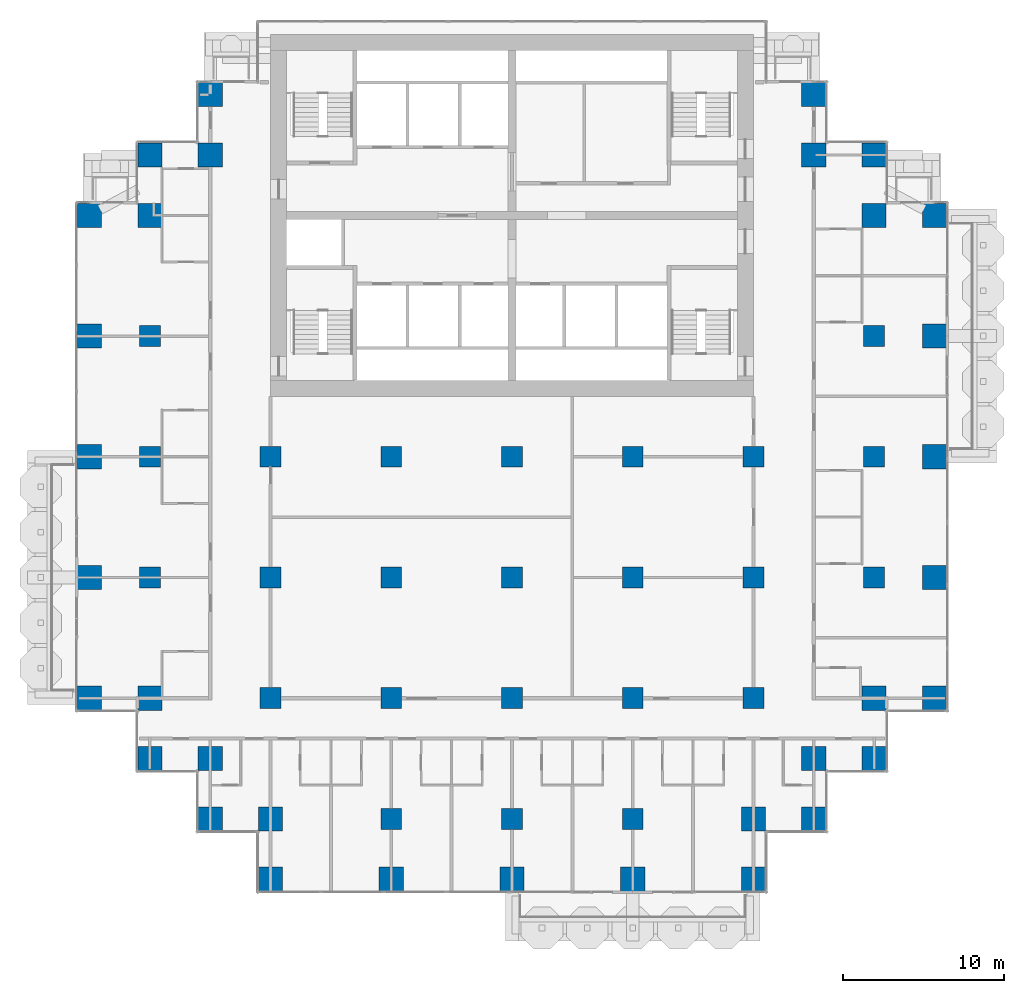
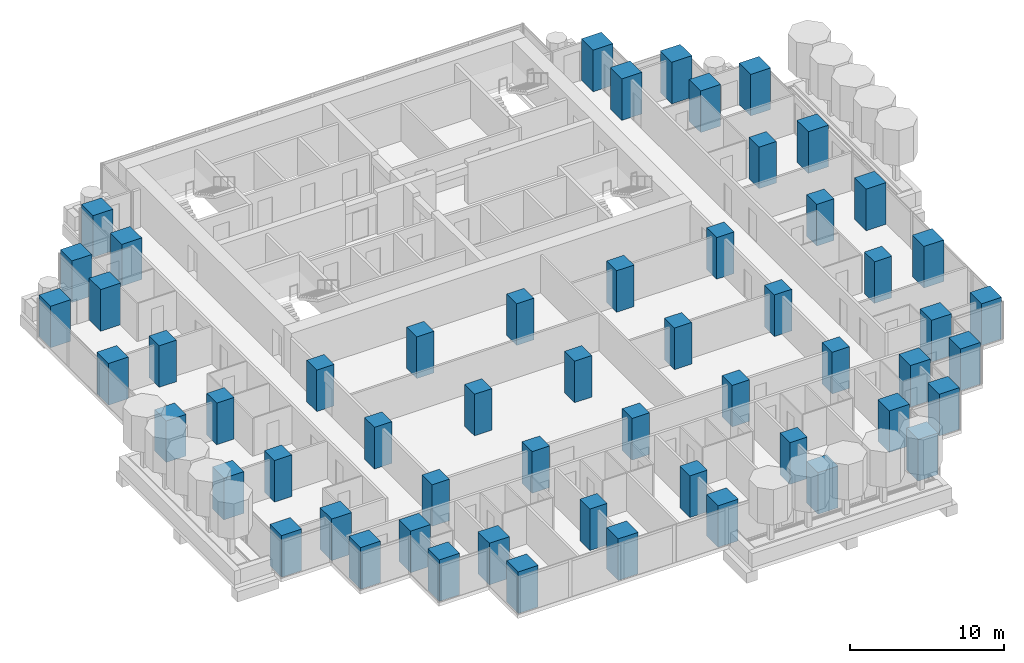
# One storey, part 1 of 19: 57 columns.
"""IFC4 building model written with IfcOpenShell, lengths in metres."""

import ifcopenshell
import ifcopenshell.guid

model = None  # the IFC model being written
_history = None  # IfcOwnerHistory: only IFC2X3 demands one
_inside = {}  # id of a spatial element -> (the spatial element, [elements in it])
_under = {}  # id of a project, library or spatial element -> (it, [spatial elements below it])
_declared = {}  # id of a project -> (the project, [libraries it declares])
_typed = {}  # id of a type object -> (the type object, [elements of that type])
_made_of = {}  # id of a material, layer set ... -> (it, [elements and type objects made of it])


def new_model(schema):
    """Start an empty IFC model of exactly this schema.

    Asked for "IFC4X3", IfcOpenShell would pick the latest addendum, in which some entities
    have other attributes; the version numbers below select the first issue.
    IFC2X3 requires an IfcOwnerHistory on every rooted entity: one is made here for all.
    """
    global model, _history
    if schema == "IFC4X3":
        model = ifcopenshell.file(schema_version=(4, 3, 0, 0))
    else:
        model = ifcopenshell.file(schema=schema)
    _inside.clear()
    _under.clear()
    _declared.clear()
    _typed.clear()
    _made_of.clear()
    _history = None
    if model.schema == "IFC2X3":
        org = make("IfcOrganization", Name="unknown")
        user = make(
            "IfcPersonAndOrganization",
            ThePerson=make("IfcPerson", FamilyName="unknown"),
            TheOrganization=org,
        )
        app = make(
            "IfcApplication",
            ApplicationDeveloper=org,
            Version="unknown",
            ApplicationFullName="unknown",
            ApplicationIdentifier="unknown",
        )
        _history = make(
            "IfcOwnerHistory",
            OwningUser=user,
            OwningApplication=app,
            ChangeAction="ADDED",
            CreationDate=0,
        )
    return model


def make(cls, **values):
    """One entity of the class cls with the attributes given. An attribute that is None is left unset."""
    return model.create_entity(
        cls, **{name: value for name, value in values.items() if value is not None}
    )


def rooted(cls, **values):
    """An entity with a GlobalId (a new one), such as an element, a storey or a relation."""
    return make(cls, GlobalId=ifcopenshell.guid.new(), OwnerHistory=_history, **values)


def si_unit(unit_type, name, prefix=None):
    """IfcSIUnit, for example si_unit("LENGTHUNIT", "METRE", prefix="MILLI")."""
    return make("IfcSIUnit", UnitType=unit_type, Prefix=prefix, Name=name)


def assignment(units):
    """IfcUnitAssignment: the units of a project."""
    return None if units is None else make("IfcUnitAssignment", Units=units)


def point(xyz):
    """IfcCartesianPoint."""
    return None if xyz is None else make("IfcCartesianPoint", Coordinates=xyz)


def direction(xyz):
    """IfcDirection."""
    return None if xyz is None else make("IfcDirection", DirectionRatios=xyz)


def frame(location, z_axis=None, x_axis=None):
    """IfcAxis2Placement3D, a coordinate frame: its origin and axes. An axis left out is left unset."""
    return make(
        "IfcAxis2Placement3D",
        Location=point(location),
        Axis=direction(z_axis),
        RefDirection=direction(x_axis),
    )


def frame_2d(location, x_axis=None):
    """IfcAxis2Placement2D, a coordinate frame in the plane: its origin and x axis."""
    return make(
        "IfcAxis2Placement2D", Location=point(location), RefDirection=direction(x_axis)
    )


def origin():
    """The frame at (0, 0, 0) with its axes left unset."""
    return frame((0.0, 0.0, 0.0))


def origin_2d():
    """The frame at (0, 0) in the plane with its x axis left unset."""
    return frame_2d((0.0, 0.0))


def place(relative_to, where):
    """IfcLocalPlacement: puts the frame where relative to a parent placement (None: the world)."""
    return make(
        "IfcLocalPlacement", PlacementRelTo=relative_to, RelativePlacement=where
    )


def context(
    kind, dimensions, precision=None, world=None, true_north=None, identifier=None
):
    """IfcGeometricRepresentationContext, for example the 3D "Model" context."""
    return make(
        "IfcGeometricRepresentationContext",
        ContextIdentifier=identifier,
        ContextType=kind,
        CoordinateSpaceDimension=dimensions,
        Precision=precision,
        WorldCoordinateSystem=world,
        TrueNorth=true_north,
    )


def subcontext(parent, identifier, kind, view, scale=None):
    """IfcGeometricRepresentationSubContext, for example "Body" below "Model"."""
    return make(
        "IfcGeometricRepresentationSubContext",
        ContextIdentifier=identifier,
        ContextType=kind,
        ParentContext=parent,
        TargetScale=scale,
        TargetView=view,
    )


def project(units=None, contexts=None):
    """IfcProject with its units and contexts."""
    return rooted(
        "IfcProject",
        Name="project",
        RepresentationContexts=contexts,
        UnitsInContext=assignment(units),
    )


def spatial(cls, under=None, at=None, **own):
    """A site, building, storey or space (cls), placed at a placement, below another one or the project."""
    s = rooted(cls, ObjectPlacement=at, **own)
    if under is not None:
        _under.setdefault(under.id(), (under, []))[1].append(s)
    return s


def profile(cls, at=None, kind="AREA", **sizes):
    """A parametric profile (cls). Its sizes go by their IFC names, for example OverallWidth=200.0."""
    return make(cls, ProfileType=kind, Position=at, **sizes)


def rectangle(**sizes):
    """IfcRectangleProfileDef."""
    return profile("IfcRectangleProfileDef", **sizes)


def extrude(swept, where, along, depth):
    """IfcExtrudedAreaSolid: the profile swept, set in the frame where, extruded along a direction by depth."""
    return make(
        "IfcExtrudedAreaSolid",
        SweptArea=swept,
        Position=where,
        ExtrudedDirection=direction(along),
        Depth=depth,
    )


def shape(context_of_items, identifier, shape_type, items):
    """IfcShapeRepresentation: the items that make up one representation, for example the "Body"."""
    return make(
        "IfcShapeRepresentation",
        ContextOfItems=context_of_items,
        RepresentationIdentifier=identifier,
        RepresentationType=shape_type,
        Items=items,
    )


def material(Name=None, Category=None):
    """IfcMaterial."""
    return make("IfcMaterial", Name=Name, Category=Category)


def material_profile(
    of_material, cross_section, Name=None, Category=None, Priority=None
):
    """IfcMaterialProfile: a cross section and its material."""
    return make(
        "IfcMaterialProfile",
        Name=Name,
        Material=of_material,
        Profile=cross_section,
        Priority=Priority,
        Category=Category,
    )


def profile_set(profiles, Name=None, composite=None):
    """IfcMaterialProfileSet."""
    return make(
        "IfcMaterialProfileSet",
        Name=Name,
        MaterialProfiles=profiles,
        CompositeProfile=composite,
    )


def made_of(thing, what):
    """Note that an element or type object is made of a material, layer set ...; save() writes the relation."""
    if what is not None:
        _made_of.setdefault(what.id(), (what, []))[1].append(thing)
    return thing


def type_object(cls, material=None, **own):
    """A type object (cls), such as IfcWallType, which elements share."""
    return made_of(rooted(cls, **own), material)


def element(
    cls,
    number,
    at=None,
    inside=None,
    cuts=None,
    type_object=None,
    material=None,
    context=None,
    identifier="Body",
    shape_type=None,
    held_by="IfcProductDefinitionShape",
    body=None,
    shapes=None,
    **own,
):
    """One element of the class cls, such as IfcWall. Its Tag is "e" and its number.

    at: its placement. inside: the storey or other place that contains it. cuts: it is an
    opening in that element (IfcRelVoidsElement). A single representation is given by context,
    identifier, shape_type and body (its items); several are given by shapes. held_by: the class
    of the entity that holds the representations. save() writes the other relations.
    """
    e = rooted(cls, Tag="e%d" % number, ObjectPlacement=at, **own)
    if body is not None:
        shapes = [shape(context, identifier, shape_type, body)]
    if shapes is not None:
        e.Representation = make(held_by, Representations=shapes)
    if inside is not None:
        _inside.setdefault(inside.id(), (inside, []))[1].append(e)
    if cuts is not None:
        rooted(
            "IfcRelVoidsElement", RelatingBuildingElement=cuts, RelatedOpeningElement=e
        )
    if type_object is not None:
        _typed.setdefault(type_object.id(), (type_object, []))[1].append(e)
    return made_of(e, material)


def aggregate(whole, parts):
    """IfcRelAggregates: a whole, such as a stair, and the parts it consists of."""
    return rooted("IfcRelAggregates", RelatingObject=whole, RelatedObjects=parts)


def save(model, path):
    """Write the relations noted so far, then the file.

    IfcRelAggregates (storeys below a building ...), IfcRelContainedInSpatialStructure (elements
    in a storey), IfcRelDefinesByType, IfcRelAssociatesMaterial and IfcRelDeclares: one each for
    every whole, place, type object, material and project.
    """
    for whole, parts in _under.values():
        aggregate(whole, parts)
    for where, things in _inside.values():
        rooted(
            "IfcRelContainedInSpatialStructure",
            RelatedElements=things,
            RelatingStructure=where,
        )
    for kind, things in _typed.values():
        rooted("IfcRelDefinesByType", RelatedObjects=things, RelatingType=kind)
    for what, things in _made_of.values():
        rooted("IfcRelAssociatesMaterial", RelatedObjects=things, RelatingMaterial=what)
    for by, libraries in _declared.values():
        rooted("IfcRelDeclares", RelatingContext=by, RelatedDefinitions=libraries)
    model.write(path)


model = new_model("IFC4")

# Units and contexts
model_context = context("Model", 3, precision=1e-05, world=origin(), true_north=direction((0.0, 1.0)))
body_context = subcontext(model_context, "Body", "Model", "MODEL_VIEW")
ifc_project = project(units=[si_unit("LENGTHUNIT", "METRE"), si_unit("AREAUNIT", "SQUARE_METRE"), si_unit("VOLUMEUNIT", "CUBIC_METRE"), si_unit("PLANEANGLEUNIT", "RADIAN"), si_unit("MASSUNIT", "GRAM", prefix="KILO")], contexts=[model_context])

# Site, building, storey
site_placement = place(None, origin())
site = spatial("IfcSite", under=ifc_project, at=site_placement, CompositionType="ELEMENT")
building_placement = place(site_placement, origin())
building = spatial("IfcBuilding", under=site, at=building_placement, Name="Pilkhan Gate Tower", CompositionType="ELEMENT")
storey_placement = place(building_placement, frame((0.0, 0.0, 72.5)))
storey = spatial("IfcBuildingStorey", under=building, at=storey_placement, Name="L16", CompositionType="ELEMENT", Elevation=72.5)

# Columns
ifc_material = material(Name="Concrete C70/85", Category="concrete")
ifc_material_profile_1 = material_profile(ifc_material, rectangle(XDim=1.300048828125, YDim=1.300048828125, at=origin_2d()), Name="RC 1300x1300")
ifc_profile_set_1 = profile_set([ifc_material_profile_1], Name="Concrete C70/85")
column_type_1 = type_object("IfcColumnType", Name="Column C130 RC 1300x1300 C70/85", PredefinedType="COLUMN", material=ifc_profile_set_1)
for number, where, z_axis, x_axis, name in (
    (1, (52.5, 60.0, 0.0), (0.0, 0.0, 1.0), (1.0, 0.0, 0.0), "Column 5/F L16"),
    (2, (52.5, 67.5, 0.0), (0.0, 0.0, 1.0), (1.0, 0.0, 0.0), "Column 5/H L16"),
    (3, (52.5, 75.0, 0.0), (0.0, 0.0, 1.0), (1.0, 0.0, 0.0), "Column 5/K L16"),
    (4, (60.0, 52.5, 0.0), (0.0, 0.0, 1.0), (1.0, 0.0, 0.0), "Column 7/D L16"),
    (5, (60.0, 60.0, 0.0), (0.0, 0.0, 1.0), (1.0, 0.0, 0.0), "Column 7/F L16"),
    (6, (60.0, 67.5, 0.0), (0.0, 0.0, 1.0), (1.0, 0.0, 0.0), "Column 7/H L16"),
    (7, (67.5, 45.0, 0.0), (0.0, 0.0, 1.0), (1.0, 0.0, 0.0), "Column 9/B L16"),
    (8, (67.5, 52.5, 0.0), (0.0, 0.0, 1.0), (1.0, 0.0, 0.0), "Column 9/D L16"),
    (9, (67.5, 60.0, 0.0), (0.0, 0.0, 1.0), (1.0, 0.0, 0.0), "Column 9/F L16"),
    (10, (67.5, 67.5, 0.0), (0.0, 0.0, 1.0), (1.0, 0.0, 0.0), "Column 9/H L16"),
    (11, (75.0, 45.0, 0.0), (0.0, 0.0, 1.0), (1.0, 0.0, 0.0), "Column 11/B L16"),
    (12, (75.0, 52.5, 0.0), (0.0, 0.0, 1.0), (1.0, 0.0, 0.0), "Column 11/D L16"),
    (13, (75.0, 60.0, 0.0), (0.0, 0.0, 1.0), (1.0, 0.0, 0.0), "Column 11/F L16"),
    (14, (75.0, 67.5, 0.0), (0.0, 0.0, 1.0), (1.0, 0.0, 0.0), "Column 11/H L16"),
    (15, (82.5, 45.0, 0.0), (0.0, 0.0, 1.0), (1.0, 0.0, 0.0), "Column 13/B L16"),
    (16, (82.5, 52.5, 0.0), (0.0, 0.0, 1.0), (1.0, 0.0, 0.0), "Column 13/D L16"),
    (17, (82.5, 60.0, 0.0), (0.0, 0.0, 1.0), (1.0, 0.0, 0.0), "Column 13/F L16"),
    (18, (82.5, 67.5, 0.0), (0.0, 0.0, 1.0), (1.0, 0.0, 0.0), "Column 13/H L16"),
    (19, (90.0, 52.5, 0.0), (0.0, 0.0, 1.0), (1.0, 0.0, 0.0), "Column 15/D L16"),
    (20, (90.0, 60.0, 0.0), (0.0, 0.0, 1.0), (1.0, 0.0, 0.0), "Column 15/F L16"),
    (21, (90.0, 67.5, 0.0), (0.0, 0.0, 1.0), (1.0, 0.0, 0.0), "Column 15/H L16"),
    (22, (97.5, 60.0, 0.0), (0.0, 0.0, 1.0), (1.0, 0.0, 0.0), "Column 17/F L16"),
    (23, (97.5, 67.5, 0.0), (0.0, 0.0, 1.0), (1.0, 0.0, 0.0), "Column 17/H L16"),
    (24, (97.5, 75.0, 0.0), (0.0, 0.0, 1.0), (1.0, 0.0, 0.0), "Column 17/K L16"),
):
    element("IfcColumn", number, at=place(storey_placement, frame(where, z_axis=z_axis, x_axis=x_axis)), inside=storey, type_object=column_type_1, Name=name, PredefinedType="COLUMN", context=body_context, shape_type="SweptSolid", body=[
        extrude(rectangle(XDim=1.300048828125, YDim=1.300048828125, at=origin_2d()), origin(), (0.0, 0.0, 1.0), 3.300048828125),
    ])
ifc_material_profile_2 = material_profile(ifc_material, rectangle(XDim=1.5, YDim=1.5, at=origin_2d()), Name="RC 1500x1500")
ifc_profile_set_2 = profile_set([ifc_material_profile_2], Name="Concrete C70/85")
column_type_2 = type_object("IfcColumnType", Name="Column C150 RC 1500x1500 C70/85", PredefinedType="COLUMN", material=ifc_profile_set_2)
for number, where, z_axis, x_axis, name in (
    (25, (48.75, 52.5, 0.0), (0.0, 0.0, 1.0), (1.0, 0.0, 0.0), "Column 4/D L16"),
    (26, (48.75, 60.0, 0.0), (0.0, 0.0, 1.0), (1.0, 0.0, 0.0), "Column 4/F L16"),
    (27, (48.75, 67.5, 0.0), (0.0, 0.0, 1.0), (1.0, 0.0, 0.0), "Column 4/H L16"),
    (28, (48.75, 75.0, 0.0), (0.0, 0.0, 1.0), (1.0, 0.0, 0.0), "Column 4/K L16"),
    (29, (48.75, 82.5, 0.0), (0.0, 0.0, 1.0), (1.0, 0.0, 0.0), "Column 4/M L16"),
    (30, (52.5, 48.75, 0.0), (0.0, 0.0, 1.0), (1.0, 0.0, 0.0), "Column 5/C L16"),
    (31, (52.5, 52.5, 0.0), (0.0, 0.0, 1.0), (1.0, 0.0, 0.0), "Column 5/D L16"),
    (32, (52.5, 82.5, 0.0), (0.0, 0.0, 1.0), (1.0, 0.0, 0.0), "Column 5/M L16"),
    (33, (52.5, 86.25, 0.0), (0.0, 0.0, 1.0), (1.0, 0.0, 0.0), "Column 5/N L16"),
    (34, (56.25, 45.0, 0.0), (0.0, 0.0, 1.0), (1.0, 0.0, 0.0), "Column 6/B L16"),
    (35, (56.25, 48.75, 0.0), (0.0, 0.0, 1.0), (1.0, 0.0, 0.0), "Column 6/C L16"),
    (36, (56.25, 86.25, 0.0), (0.0, 0.0, 1.0), (1.0, 0.0, 0.0), "Column 6/N L16"),
    (37, (56.25, 90.0, 0.0), (0.0, 0.0, 1.0), (1.0, 0.0, 0.0), "Column 6/P L16"),
    (38, (60.0, 41.25, 0.0), (0.0, 0.0, 1.0), (1.0, 0.0, 0.0), "Column 7/A L16"),
    (39, (60.0, 45.0, 0.0), (0.0, 0.0, 1.0), (1.0, 0.0, 0.0), "Column 7/B L16"),
    (40, (67.5, 41.25, 0.0), (0.0, 0.0, 1.0), (1.0, 0.0, 0.0), "Column 9/A L16"),
    (41, (75.0, 41.25, 0.0), (0.0, 0.0, 1.0), (1.0, 0.0, 0.0), "Column 11/A L16"),
    (42, (82.5, 41.25, 0.0), (0.0, 0.0, 1.0), (1.0, 0.0, 0.0), "Column 13/A L16"),
    (43, (90.0, 41.25, 0.0), (0.0, 0.0, 1.0), (1.0, 0.0, 0.0), "Column 15/A L16"),
    (44, (90.0, 45.0, 0.0), (0.0, 0.0, 1.0), (1.0, 0.0, 0.0), "Column 15/B L16"),
    (45, (93.75, 45.0, 0.0), (0.0, 0.0, 1.0), (1.0, 0.0, 0.0), "Column 16/B L16"),
    (46, (93.75, 48.75, 0.0), (0.0, 0.0, 1.0), (1.0, 0.0, 0.0), "Column 16/C L16"),
    (47, (93.75, 86.25, 0.0), (0.0, 0.0, 1.0), (1.0, 0.0, 0.0), "Column 16/N L16"),
    (48, (93.75, 90.0, 0.0), (0.0, 0.0, 1.0), (1.0, 0.0, 0.0), "Column 16/P L16"),
    (49, (97.5, 48.75, 0.0), (0.0, 0.0, 1.0), (1.0, 0.0, 0.0), "Column 17/C L16"),
    (50, (97.5, 52.5, 0.0), (0.0, 0.0, 1.0), (1.0, 0.0, 0.0), "Column 17/D L16"),
    (51, (97.5, 82.5, 0.0), (0.0, 0.0, 1.0), (1.0, 0.0, 0.0), "Column 17/M L16"),
    (52, (97.5, 86.25, 0.0), (0.0, 0.0, 1.0), (1.0, 0.0, 0.0), "Column 17/N L16"),
    (53, (101.25, 52.5, 0.0), (0.0, 0.0, 1.0), (1.0, 0.0, 0.0), "Column 18/D L16"),
    (54, (101.25, 60.0, 0.0), (0.0, 0.0, 1.0), (1.0, 0.0, 0.0), "Column 18/F L16"),
    (55, (101.25, 67.5, 0.0), (0.0, 0.0, 1.0), (1.0, 0.0, 0.0), "Column 18/H L16"),
    (56, (101.25, 75.0, 0.0), (0.0, 0.0, 1.0), (1.0, 0.0, 0.0), "Column 18/K L16"),
    (57, (101.25, 82.5, 0.0), (0.0, 0.0, 1.0), (1.0, 0.0, 0.0), "Column 18/M L16"),
):
    element("IfcColumn", number, at=place(storey_placement, frame(where, z_axis=z_axis, x_axis=x_axis)), inside=storey, type_object=column_type_2, Name=name, PredefinedType="COLUMN", context=body_context, shape_type="SweptSolid", body=[
        extrude(rectangle(XDim=1.5, YDim=1.5, at=origin_2d()), origin(), (0.0, 0.0, 1.0), 3.300048828125),
    ])

save(model, "model.ifc")
